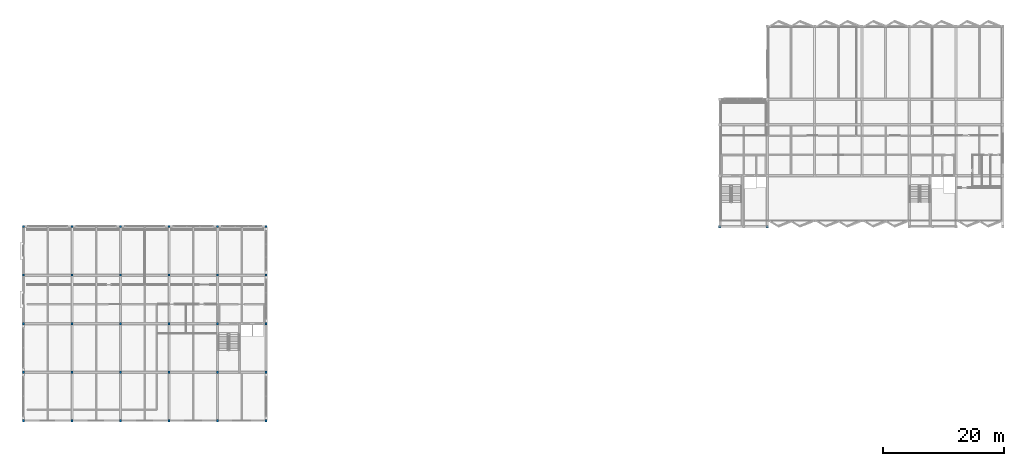
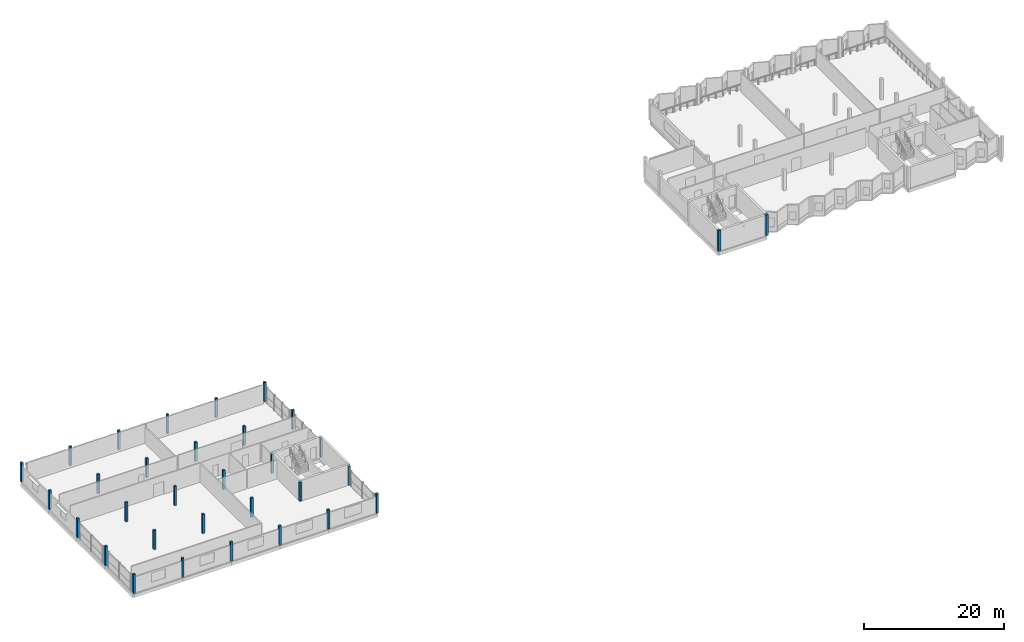
# One storey, part 1 of 22: 32 columns.
"""IFC4 building model written with IfcOpenShell, lengths in metres."""

from ifc_helpers import new_model, si_unit, direction, frame, origin, origin_2d, place, context, subcontext, project, spatial, rectangle, extrude, material, material_profile, profile_set, type_object, element, save


model = new_model("IFC4")

# Units and contexts
model_context = context("Model", 3, precision=1e-05, world=origin(), true_north=direction((0.0, 1.0)))
body_context = subcontext(model_context, "Body", "Model", "MODEL_VIEW")
ifc_project = project(units=[si_unit("LENGTHUNIT", "METRE"), si_unit("AREAUNIT", "SQUARE_METRE"), si_unit("VOLUMEUNIT", "CUBIC_METRE"), si_unit("PLANEANGLEUNIT", "RADIAN"), si_unit("MASSUNIT", "GRAM", prefix="KILO")], contexts=[model_context])

# Site, building, storey
site_placement = place(None, origin())
site = spatial("IfcSite", under=ifc_project, at=site_placement, CompositionType="ELEMENT")
building_placement = place(site_placement, origin())
building = spatial("IfcBuilding", under=site, at=building_placement, Name="Vharandega Faculty of Natural Sciences", CompositionType="ELEMENT")
storey_placement = place(building_placement, frame((0.0, 0.0, 28.800048828125)))
storey = spatial("IfcBuildingStorey", under=building, at=storey_placement, Name="L07", CompositionType="ELEMENT", Elevation=28.800048828125)

# Columns
ifc_material_1 = material(Name="Glulam GL32h", Category="wood")
ifc_material_profile_1 = material_profile(ifc_material_1, rectangle(XDim=0.360107421875, YDim=0.360107421875, at=origin_2d()), Name="GL32h 360x360")
ifc_profile_set_1 = profile_set([ifc_material_profile_1], Name="Glulam GL32h")
column_type_1 = type_object("IfcColumnType", Name="Glulam Column 360x360", PredefinedType="COLUMN", material=ifc_profile_set_1)
for number, where, z_axis, x_axis, name in (
    (1, (0.0, 32.0, 0.0), (0.0, 0.0, 1.0), (1.0, 0.0, 0.0), "Column 1/E L07"),
    (2, (0.0, 40.0, 0.0), (0.0, 0.0, 1.0), (1.0, 0.0, 0.0), "Column 1/F L07"),
    (3, (0.0, 48.0, 0.0), (0.0, 0.0, 1.0), (1.0, 0.0, 0.0), "Column 1/G L07"),
    (4, (0.0, 56.0, 0.0), (0.0, 0.0, 1.0), (1.0, 0.0, 0.0), "Column 1/H L07"),
    (5, (0.0, 64.0, 0.0), (0.0, 0.0, 1.0), (1.0, 0.0, 0.0), "Column 1/J L07"),
    (6, (8.0, 32.0, 0.0), (0.0, 0.0, 1.0), (1.0, 0.0, 0.0), "Column 2/E L07"),
    (7, (8.0, 40.0, 0.0), (0.0, 0.0, 1.0), (1.0, 0.0, 0.0), "Column 2/F L07"),
    (8, (8.0, 48.0, 0.0), (0.0, 0.0, 1.0), (1.0, 0.0, 0.0), "Column 2/G L07"),
    (9, (8.0, 56.0, 0.0), (0.0, 0.0, 1.0), (1.0, 0.0, 0.0), "Column 2/H L07"),
    (10, (8.0, 64.0, 0.0), (0.0, 0.0, 1.0), (1.0, 0.0, 0.0), "Column 2/J L07"),
    (11, (16.0, 32.0, 0.0), (0.0, 0.0, 1.0), (1.0, 0.0, 0.0), "Column 3/E L07"),
    (12, (16.0, 40.0, 0.0), (0.0, 0.0, 1.0), (1.0, 0.0, 0.0), "Column 3/F L07"),
    (13, (16.0, 48.0, 0.0), (0.0, 0.0, 1.0), (1.0, 0.0, 0.0), "Column 3/G L07"),
    (14, (16.0, 56.0, 0.0), (0.0, 0.0, 1.0), (1.0, 0.0, 0.0), "Column 3/H L07"),
    (15, (16.0, 64.0, 0.0), (0.0, 0.0, 1.0), (1.0, 0.0, 0.0), "Column 3/J L07"),
    (16, (24.0, 32.0, 0.0), (0.0, 0.0, 1.0), (1.0, 0.0, 0.0), "Column 4/E L07"),
    (17, (24.0, 40.0, 0.0), (0.0, 0.0, 1.0), (1.0, 0.0, 0.0), "Column 4/F L07"),
    (18, (24.0, 48.0, 0.0), (0.0, 0.0, 1.0), (1.0, 0.0, 0.0), "Column 4/G L07"),
    (19, (24.0, 56.0, 0.0), (0.0, 0.0, 1.0), (1.0, 0.0, 0.0), "Column 4/H L07"),
    (20, (24.0, 64.0, 0.0), (0.0, 0.0, 1.0), (1.0, 0.0, 0.0), "Column 4/J L07"),
    (21, (32.0, 32.0, 0.0), (0.0, 0.0, 1.0), (1.0, 0.0, 0.0), "Column 5/E L07"),
    (22, (32.0, 40.0, 0.0), (0.0, 0.0, 1.0), (1.0, 0.0, 0.0), "Column 5/F L07"),
    (23, (32.0, 48.0, 0.0), (0.0, 0.0, 1.0), (1.0, 0.0, 0.0), "Column 5/G L07"),
    (24, (32.0, 56.0, 0.0), (0.0, 0.0, 1.0), (1.0, 0.0, 0.0), "Column 5/H L07"),
    (25, (32.0, 64.0, 0.0), (0.0, 0.0, 1.0), (1.0, 0.0, 0.0), "Column 5/J L07"),
    (26, (40.0, 32.0, 0.0), (0.0, 0.0, 1.0), (1.0, 0.0, 0.0), "Column 6/E L07"),
    (27, (40.0, 40.0, 0.0), (0.0, 0.0, 1.0), (1.0, 0.0, 0.0), "Column 6/F L07"),
    (28, (40.0, 48.0, 0.0), (0.0, 0.0, 1.0), (1.0, 0.0, 0.0), "Column 6/G L07"),
    (29, (40.0, 56.0, 0.0), (0.0, 0.0, 1.0), (1.0, 0.0, 0.0), "Column 6/H L07"),
    (30, (40.0, 64.0, 0.0), (0.0, 0.0, 1.0), (1.0, 0.0, 0.0), "Column 6/J L07"),
):
    element("IfcColumn", number, at=place(storey_placement, frame(where, z_axis=z_axis, x_axis=x_axis)), inside=storey, type_object=column_type_1, Name=name, PredefinedType="COLUMN", context=body_context, shape_type="SweptSolid", body=[
        extrude(rectangle(XDim=0.360107421875, YDim=0.360107421875, at=origin_2d()), origin(), (0.0, 0.0, 1.0), 3.33984375),
    ])
ifc_material_2 = material(Name="Glulam GL32h", Category="wood")
ifc_material_profile_2 = material_profile(ifc_material_2, rectangle(XDim=0.419921875, YDim=0.419921875, at=origin_2d()), Name="GL32h 420x420")
ifc_profile_set_2 = profile_set([ifc_material_profile_2], Name="Glulam GL32h")
column_type_2 = type_object("IfcColumnType", Name="Glulam Column 420x420", PredefinedType="COLUMN", material=ifc_profile_set_2)
for number, where, z_axis, x_axis, name in (
    (31, (114.800048828125, 64.0, 0.0), (0.0, 0.0, 1.0), (1.0, 0.0, 0.0), "Column 15/J L07"),
    (32, (122.60009765625, 64.0, 0.0), (0.0, 0.0, 1.0), (1.0, 0.0, 0.0), "Column 16/J L07"),
):
    element("IfcColumn", number, at=place(storey_placement, frame(where, z_axis=z_axis, x_axis=x_axis)), inside=storey, type_object=column_type_2, Name=name, PredefinedType="COLUMN", context=body_context, shape_type="SweptSolid", body=[
        extrude(rectangle(XDim=0.419921875, YDim=0.419921875, at=origin_2d()), origin(), (0.0, 0.0, 1.0), 3.599853515625),
    ])

save(model, "model.ifc")
